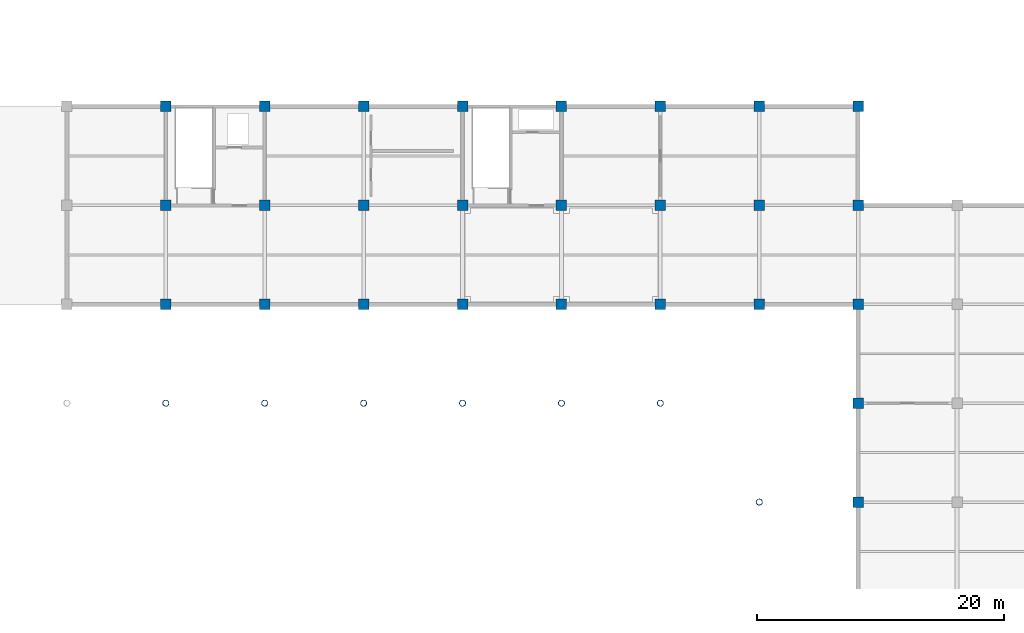
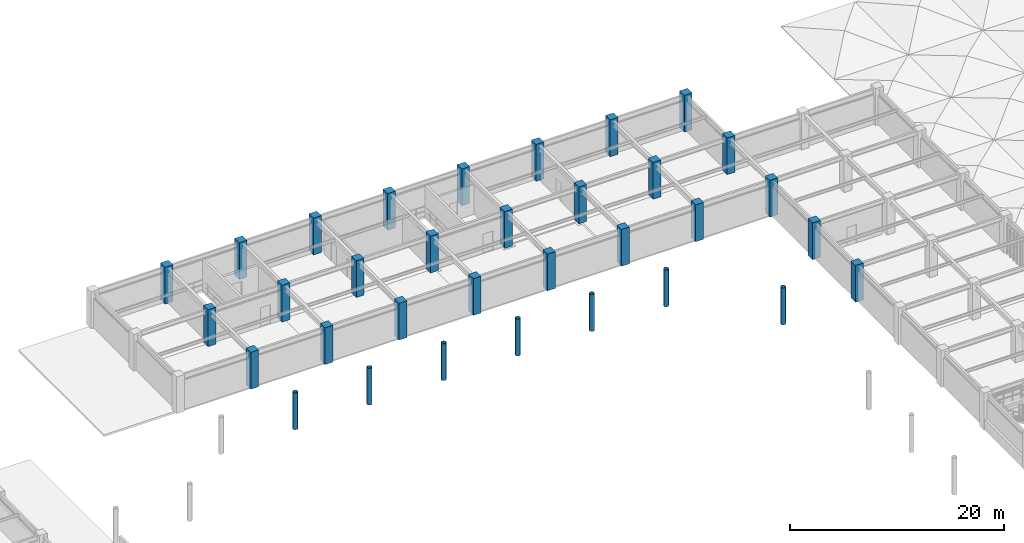
# One storey, part 17 of 78: 33 columns.
"""IFC4 building model written with IfcOpenShell, lengths in metres."""

from ifc_helpers import new_model, si_unit, direction, frame, origin, origin_2d, place, context, subcontext, project, spatial, rectangle, hollow_circle, extrude, material, material_profile, profile_set, type_object, element, save


model = new_model("IFC4")

# Units and contexts
model_context = context("Model", 3, precision=1e-05, world=origin(), true_north=direction((0.0, 1.0)))
body_context = subcontext(model_context, "Body", "Model", "MODEL_VIEW")
ifc_project = project(units=[si_unit("LENGTHUNIT", "METRE"), si_unit("AREAUNIT", "SQUARE_METRE"), si_unit("VOLUMEUNIT", "CUBIC_METRE"), si_unit("PLANEANGLEUNIT", "RADIAN"), si_unit("MASSUNIT", "GRAM", prefix="KILO")], contexts=[model_context])

# Site, building, storey
site_placement = place(None, origin())
site = spatial("IfcSite", under=ifc_project, at=site_placement, CompositionType="ELEMENT")
building_placement = place(site_placement, origin())
building = spatial("IfcBuilding", under=site, at=building_placement, Name="Haebicheon Civic Stadium", CompositionType="ELEMENT")
storey_placement = place(building_placement, frame((0.0, 0.0, 18.60009765625)))
storey = spatial("IfcBuildingStorey", under=building, at=storey_placement, Name="L05", CompositionType="ELEMENT", Elevation=18.60009765625)

# Columns
ifc_material_1 = material(Name="Concrete C40/50", Category="concrete")
ifc_material_profile_1 = material_profile(ifc_material_1, rectangle(XDim=0.85009765625, YDim=0.85009765625, at=origin_2d()), Name="RC-COL-850x850")
ifc_profile_set_1 = profile_set([ifc_material_profile_1], Name="Concrete C40/50")
column_type_1 = type_object("IfcColumnType", Name="COL-RC-850", PredefinedType="COLUMN", material=ifc_profile_set_1)
for number, where, z_axis, x_axis, name in (
    (1, (88.0, 152.0, 0.0), (0.0, 0.0, 1.0), (1.0, 0.0, 0.0), "L05 column 12/V"),
    (2, (88.0, 160.0, 0.0), (0.0, 0.0, 1.0), (1.0, 0.0, 0.0), "L05 column 12/W"),
    (3, (88.0, 168.0, 0.0), (0.0, 0.0, 1.0), (1.0, 0.0, 0.0), "L05 column 12/X"),
    (4, (96.0, 152.0, 0.0), (0.0, 0.0, 1.0), (1.0, 0.0, 0.0), "L05 column 13/V"),
    (5, (96.0, 160.0, 0.0), (0.0, 0.0, 1.0), (1.0, 0.0, 0.0), "L05 column 13/W"),
    (6, (96.0, 168.0, 0.0), (0.0, 0.0, 1.0), (1.0, 0.0, 0.0), "L05 column 13/X"),
    (7, (104.0, 152.0, 0.0), (0.0, 0.0, 1.0), (1.0, 0.0, 0.0), "L05 column 14/V"),
    (8, (104.0, 160.0, 0.0), (0.0, 0.0, 1.0), (1.0, 0.0, 0.0), "L05 column 14/W"),
    (9, (104.0, 168.0, 0.0), (0.0, 0.0, 1.0), (1.0, 0.0, 0.0), "L05 column 14/X"),
    (10, (112.0, 152.0, 0.0), (0.0, 0.0, 1.0), (1.0, 0.0, 0.0), "L05 column 15/V"),
    (11, (112.0, 160.0, 0.0), (0.0, 0.0, 1.0), (1.0, 0.0, 0.0), "L05 column 15/W"),
    (12, (112.0, 168.0, 0.0), (0.0, 0.0, 1.0), (1.0, 0.0, 0.0), "L05 column 15/X"),
    (13, (120.0, 152.0, 0.0), (0.0, 0.0, 1.0), (1.0, 0.0, 0.0), "L05 column 16/V"),
    (14, (120.0, 160.0, 0.0), (0.0, 0.0, 1.0), (1.0, 0.0, 0.0), "L05 column 16/W"),
    (15, (120.0, 168.0, 0.0), (0.0, 0.0, 1.0), (1.0, 0.0, 0.0), "L05 column 16/X"),
    (16, (128.0, 152.0, 0.0), (0.0, 0.0, 1.0), (1.0, 0.0, 0.0), "L05 column 17/V"),
    (17, (128.0, 160.0, 0.0), (0.0, 0.0, 1.0), (1.0, 0.0, 0.0), "L05 column 17/W"),
    (18, (128.0, 168.0, 0.0), (0.0, 0.0, 1.0), (1.0, 0.0, 0.0), "L05 column 17/X"),
    (19, (136.0, 152.0, 0.0), (0.0, 0.0, 1.0), (1.0, 0.0, 0.0), "L05 column 18/V"),
    (20, (136.0, 160.0, 0.0), (0.0, 0.0, 1.0), (1.0, 0.0, 0.0), "L05 column 18/W"),
    (21, (136.0, 168.0, 0.0), (0.0, 0.0, 1.0), (1.0, 0.0, 0.0), "L05 column 18/X"),
    (22, (144.0, 136.0, 0.0), (0.0, 0.0, 1.0), (1.0, 0.0, 0.0), "L05 column 19/T"),
    (23, (144.0, 144.0, 0.0), (0.0, 0.0, 1.0), (1.0, 0.0, 0.0), "L05 column 19/U"),
    (24, (144.0, 152.0, 0.0), (0.0, 0.0, 1.0), (1.0, 0.0, 0.0), "L05 column 19/V"),
    (25, (144.0, 160.0, 0.0), (0.0, 0.0, 1.0), (1.0, 0.0, 0.0), "L05 column 19/W"),
    (26, (144.0, 168.0, 0.0), (0.0, 0.0, 1.0), (1.0, 0.0, 0.0), "L05 column 19/X"),
):
    element("IfcColumn", number, at=place(storey_placement, frame(where, z_axis=z_axis, x_axis=x_axis)), inside=storey, type_object=column_type_1, material=ifc_profile_set_1, Name=name, PredefinedType="COLUMN", context=body_context, shape_type="SweptSolid", body=[
        extrude(rectangle(XDim=0.85009765625, YDim=0.85009765625, at=origin_2d()), origin(), (0.0, 0.0, 1.0), 4.199951171875),
    ])
ifc_material_2 = material(Name="White painted steel SM490", Category="steel")
ifc_material_profile_2 = material_profile(ifc_material_2, hollow_circle(Radius=0.25390625, WallThickness=0.02490234375, at=origin_2d()), Name="CHS-508.0x25.0")
ifc_profile_set_2 = profile_set([ifc_material_profile_2], Name="White painted steel SM490")
column_type_2 = type_object("IfcColumnType", Name="COL-ST-CHS508", PredefinedType="COLUMN", material=ifc_profile_set_2)
for number, where, z_axis, x_axis, name in (
    (27, (136.0, 136.0, 0.0), (0.0, 0.0, 1.0), (1.0, 0.0, 0.0), "Bowl/canopy support column 136/136 (L05)"),
    (28, (88.0, 144.0, 0.0), (0.0, 0.0, 1.0), (1.0, 0.0, 0.0), "Bowl/canopy support column 88/144 (L05)"),
    (29, (96.0, 144.0, 0.0), (0.0, 0.0, 1.0), (1.0, 0.0, 0.0), "Bowl/canopy support column 96/144 (L05)"),
    (30, (104.0, 144.0, 0.0), (0.0, 0.0, 1.0), (1.0, 0.0, 0.0), "Bowl/canopy support column 104/144 (L05)"),
    (31, (112.0, 144.0, 0.0), (0.0, 0.0, 1.0), (1.0, 0.0, 0.0), "Bowl/canopy support column 112/144 (L05)"),
    (32, (120.0, 144.0, 0.0), (0.0, 0.0, 1.0), (1.0, 0.0, 0.0), "Bowl/canopy support column 120/144 (L05)"),
    (33, (128.0, 144.0, 0.0), (0.0, 0.0, 1.0), (1.0, 0.0, 0.0), "Bowl/canopy support column 128/144 (L05)"),
):
    element("IfcColumn", number, at=place(storey_placement, frame(where, z_axis=z_axis, x_axis=x_axis)), inside=storey, type_object=column_type_2, material=ifc_profile_set_2, Name=name, PredefinedType="COLUMN", context=body_context, shape_type="SweptSolid", body=[
        extrude(hollow_circle(Radius=0.25390625, WallThickness=0.02490234375, at=origin_2d()), origin(), (0.0, 0.0, 1.0), 4.199951171875),
    ])

save(model, "model.ifc")
